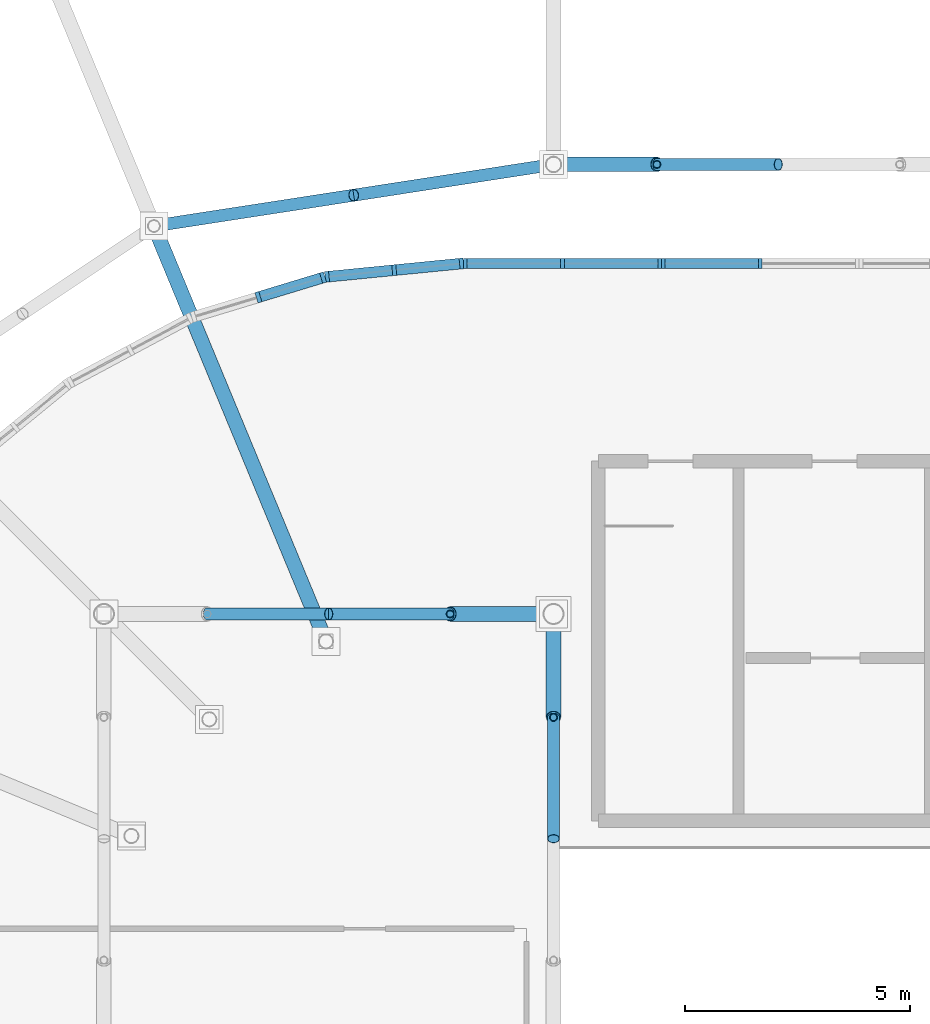
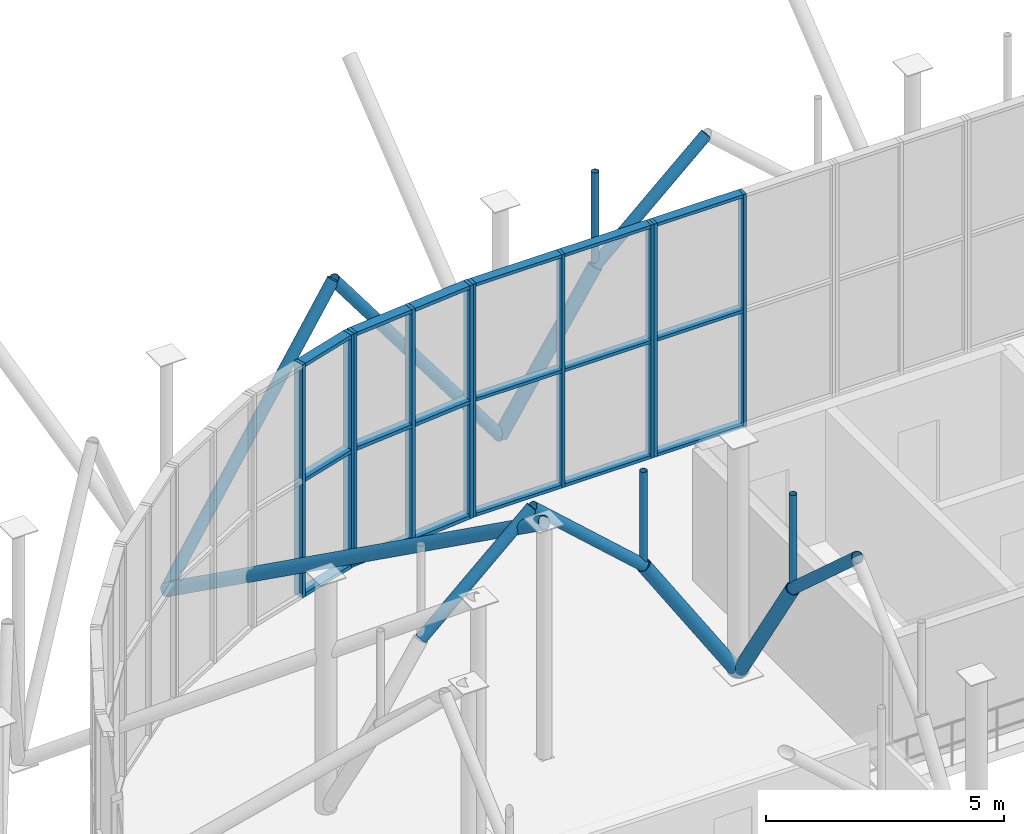
# One storey, part 51 of 109: 41 members, 4 elements without a shape of their own.
"""IFC4 building model written with IfcOpenShell, lengths in metres."""

import ifcopenshell
import ifcopenshell.guid

model = None  # the IFC model being written
_history = None  # IfcOwnerHistory: only IFC2X3 demands one
_inside = {}  # id of a spatial element -> (the spatial element, [elements in it])
_under = {}  # id of a project, library or spatial element -> (it, [spatial elements below it])
_declared = {}  # id of a project -> (the project, [libraries it declares])
_typed = {}  # id of a type object -> (the type object, [elements of that type])
_made_of = {}  # id of a material, layer set ... -> (it, [elements and type objects made of it])


def new_model(schema):
    """Start an empty IFC model of exactly this schema.

    Asked for "IFC4X3", IfcOpenShell would pick the latest addendum, in which some entities
    have other attributes; the version numbers below select the first issue.
    IFC2X3 requires an IfcOwnerHistory on every rooted entity: one is made here for all.
    """
    global model, _history
    if schema == "IFC4X3":
        model = ifcopenshell.file(schema_version=(4, 3, 0, 0))
    else:
        model = ifcopenshell.file(schema=schema)
    _inside.clear()
    _under.clear()
    _declared.clear()
    _typed.clear()
    _made_of.clear()
    _history = None
    if model.schema == "IFC2X3":
        org = make("IfcOrganization", Name="unknown")
        user = make(
            "IfcPersonAndOrganization",
            ThePerson=make("IfcPerson", FamilyName="unknown"),
            TheOrganization=org,
        )
        app = make(
            "IfcApplication",
            ApplicationDeveloper=org,
            Version="unknown",
            ApplicationFullName="unknown",
            ApplicationIdentifier="unknown",
        )
        _history = make(
            "IfcOwnerHistory",
            OwningUser=user,
            OwningApplication=app,
            ChangeAction="ADDED",
            CreationDate=0,
        )
    return model


def make(cls, **values):
    """One entity of the class cls with the attributes given. An attribute that is None is left unset."""
    return model.create_entity(
        cls, **{name: value for name, value in values.items() if value is not None}
    )


def rooted(cls, **values):
    """An entity with a GlobalId (a new one), such as an element, a storey or a relation."""
    return make(cls, GlobalId=ifcopenshell.guid.new(), OwnerHistory=_history, **values)


def si_unit(unit_type, name, prefix=None):
    """IfcSIUnit, for example si_unit("LENGTHUNIT", "METRE", prefix="MILLI")."""
    return make("IfcSIUnit", UnitType=unit_type, Prefix=prefix, Name=name)


def derived_unit(unit_type, elements):
    """IfcDerivedUnit: a product of units, each with its exponent."""
    return make(
        "IfcDerivedUnit",
        Elements=[
            make("IfcDerivedUnitElement", Unit=unit, Exponent=power)
            for unit, power in elements
        ],
        UnitType=unit_type,
    )


def assignment(units):
    """IfcUnitAssignment: the units of a project."""
    return None if units is None else make("IfcUnitAssignment", Units=units)


def point(xyz):
    """IfcCartesianPoint."""
    return None if xyz is None else make("IfcCartesianPoint", Coordinates=xyz)


def direction(xyz):
    """IfcDirection."""
    return None if xyz is None else make("IfcDirection", DirectionRatios=xyz)


def frame(location, z_axis=None, x_axis=None):
    """IfcAxis2Placement3D, a coordinate frame: its origin and axes. An axis left out is left unset."""
    return make(
        "IfcAxis2Placement3D",
        Location=point(location),
        Axis=direction(z_axis),
        RefDirection=direction(x_axis),
    )


def frame_2d(location, x_axis=None):
    """IfcAxis2Placement2D, a coordinate frame in the plane: its origin and x axis."""
    return make(
        "IfcAxis2Placement2D", Location=point(location), RefDirection=direction(x_axis)
    )


def origin():
    """The frame at (0, 0, 0) with its axes left unset."""
    return frame((0.0, 0.0, 0.0))


def origin_2d_with_axis():
    """The frame at (0, 0) in the plane with the x axis (1, 0) written out."""
    return frame_2d((0.0, 0.0), x_axis=(1.0, 0.0))


def place(relative_to, where):
    """IfcLocalPlacement: puts the frame where relative to a parent placement (None: the world)."""
    return make(
        "IfcLocalPlacement", PlacementRelTo=relative_to, RelativePlacement=where
    )


def context(
    kind, dimensions, precision=None, world=None, true_north=None, identifier=None
):
    """IfcGeometricRepresentationContext, for example the 3D "Model" context."""
    return make(
        "IfcGeometricRepresentationContext",
        ContextIdentifier=identifier,
        ContextType=kind,
        CoordinateSpaceDimension=dimensions,
        Precision=precision,
        WorldCoordinateSystem=world,
        TrueNorth=true_north,
    )


def subcontext(parent, identifier, kind, view, scale=None):
    """IfcGeometricRepresentationSubContext, for example "Body" below "Model"."""
    return make(
        "IfcGeometricRepresentationSubContext",
        ContextIdentifier=identifier,
        ContextType=kind,
        ParentContext=parent,
        TargetScale=scale,
        TargetView=view,
    )


def project(units=None, contexts=None):
    """IfcProject with its units and contexts."""
    return rooted(
        "IfcProject",
        Name="project",
        RepresentationContexts=contexts,
        UnitsInContext=assignment(units),
    )


def spatial(cls, under=None, at=None, **own):
    """A site, building, storey or space (cls), placed at a placement, below another one or the project."""
    s = rooted(cls, ObjectPlacement=at, **own)
    if under is not None:
        _under.setdefault(under.id(), (under, []))[1].append(s)
    return s


def profile(cls, at=None, kind="AREA", **sizes):
    """A parametric profile (cls). Its sizes go by their IFC names, for example OverallWidth=200.0."""
    return make(cls, ProfileType=kind, Position=at, **sizes)


def rectangle(**sizes):
    """IfcRectangleProfileDef."""
    return profile("IfcRectangleProfileDef", **sizes)


def hollow_circle(**sizes):
    """IfcCircleHollowProfileDef."""
    return profile("IfcCircleHollowProfileDef", **sizes)


def extrude(swept, where, along, depth):
    """IfcExtrudedAreaSolid: the profile swept, set in the frame where, extruded along a direction by depth."""
    return make(
        "IfcExtrudedAreaSolid",
        SweptArea=swept,
        Position=where,
        ExtrudedDirection=direction(along),
        Depth=depth,
    )


def shape(context_of_items, identifier, shape_type, items):
    """IfcShapeRepresentation: the items that make up one representation, for example the "Body"."""
    return make(
        "IfcShapeRepresentation",
        ContextOfItems=context_of_items,
        RepresentationIdentifier=identifier,
        RepresentationType=shape_type,
        Items=items,
    )


def material(Name=None, Category=None):
    """IfcMaterial."""
    return make("IfcMaterial", Name=Name, Category=Category)


def material_profile(
    of_material, cross_section, Name=None, Category=None, Priority=None
):
    """IfcMaterialProfile: a cross section and its material."""
    return make(
        "IfcMaterialProfile",
        Name=Name,
        Material=of_material,
        Profile=cross_section,
        Priority=Priority,
        Category=Category,
    )


def profile_set(profiles, Name=None, composite=None):
    """IfcMaterialProfileSet."""
    return make(
        "IfcMaterialProfileSet",
        Name=Name,
        MaterialProfiles=profiles,
        CompositeProfile=composite,
    )


def made_of(thing, what):
    """Note that an element or type object is made of a material, layer set ...; save() writes the relation."""
    if what is not None:
        _made_of.setdefault(what.id(), (what, []))[1].append(thing)
    return thing


def type_object(cls, material=None, **own):
    """A type object (cls), such as IfcWallType, which elements share."""
    return made_of(rooted(cls, **own), material)


def element(
    cls,
    number,
    at=None,
    inside=None,
    cuts=None,
    type_object=None,
    material=None,
    context=None,
    identifier="Body",
    shape_type=None,
    held_by="IfcProductDefinitionShape",
    body=None,
    shapes=None,
    **own,
):
    """One element of the class cls, such as IfcWall. Its Tag is "e" and its number.

    at: its placement. inside: the storey or other place that contains it. cuts: it is an
    opening in that element (IfcRelVoidsElement). A single representation is given by context,
    identifier, shape_type and body (its items); several are given by shapes. held_by: the class
    of the entity that holds the representations. save() writes the other relations.
    """
    e = rooted(cls, Tag="e%d" % number, ObjectPlacement=at, **own)
    if body is not None:
        shapes = [shape(context, identifier, shape_type, body)]
    if shapes is not None:
        e.Representation = make(held_by, Representations=shapes)
    if inside is not None:
        _inside.setdefault(inside.id(), (inside, []))[1].append(e)
    if cuts is not None:
        rooted(
            "IfcRelVoidsElement", RelatingBuildingElement=cuts, RelatedOpeningElement=e
        )
    if type_object is not None:
        _typed.setdefault(type_object.id(), (type_object, []))[1].append(e)
    return made_of(e, material)


def aggregate(whole, parts):
    """IfcRelAggregates: a whole, such as a stair, and the parts it consists of."""
    return rooted("IfcRelAggregates", RelatingObject=whole, RelatedObjects=parts)


def save(model, path):
    """Write the relations noted so far, then the file.

    IfcRelAggregates (storeys below a building ...), IfcRelContainedInSpatialStructure (elements
    in a storey), IfcRelDefinesByType, IfcRelAssociatesMaterial and IfcRelDeclares: one each for
    every whole, place, type object, material and project.
    """
    for whole, parts in _under.values():
        aggregate(whole, parts)
    for where, things in _inside.values():
        rooted(
            "IfcRelContainedInSpatialStructure",
            RelatedElements=things,
            RelatingStructure=where,
        )
    for kind, things in _typed.values():
        rooted("IfcRelDefinesByType", RelatedObjects=things, RelatingType=kind)
    for what, things in _made_of.values():
        rooted("IfcRelAssociatesMaterial", RelatedObjects=things, RelatingMaterial=what)
    for by, libraries in _declared.values():
        rooted("IfcRelDeclares", RelatingContext=by, RelatedDefinitions=libraries)
    model.write(path)


model = new_model("IFC4")

# Units and contexts
model_context = context("Model", 3, precision=1e-05, world=origin(), true_north=direction((0.0, 1.0)))
body_context = subcontext(model_context, "Body", "Model", "MODEL_VIEW")
ifc_project = project(units=[si_unit("LENGTHUNIT", "METRE"), si_unit("AREAUNIT", "SQUARE_METRE"), si_unit("VOLUMEUNIT", "CUBIC_METRE"), si_unit("PLANEANGLEUNIT", "RADIAN"), si_unit("MASSUNIT", "GRAM", prefix="KILO"), derived_unit("THERMALTRANSMITTANCEUNIT", [(si_unit("POWERUNIT", "WATT"), 1), (si_unit("LENGTHUNIT", "METRE"), -2), (si_unit("THERMODYNAMICTEMPERATUREUNIT", "KELVIN"), -1)])], contexts=[model_context])

# Site, building, storey
site_placement = place(None, origin())
site = spatial("IfcSite", under=ifc_project, at=site_placement, CompositionType="ELEMENT")
building_placement = place(site_placement, origin())
building = spatial("IfcBuilding", under=site, at=building_placement, Name="Cinnabar Yard Market Hall", CompositionType="ELEMENT")
storey_placement = place(building_placement, frame((0.0, 0.0, 8.39990234375)))
storey = spatial("IfcBuildingStorey", under=building, at=storey_placement, Name="L02", CompositionType="ELEMENT", Elevation=8.39990234375)

# Curtain wall, members
ifc_material_1 = material(Name="Anodised bronze aluminium curved-chord facade", Category="aluminium")
curtain_wall_type_1 = type_object("IfcCurtainWallType", Name="CW-CWC031x60", PredefinedType="NOTDEFINED", material=ifc_material_1)
curtain_wall_1_placement = place(storey_placement, origin())
curtain_wall_1 = element("IfcCurtainWall", 1, at=curtain_wall_1_placement, inside=storey, type_object=curtain_wall_type_1, Name="Corner NW Chord 1 L02", PredefinedType="NOTDEFINED")
ifc_material_2 = material(Name="Anodised bronze aluminium", Category="aluminium")
ifc_material_profile_1 = material_profile(ifc_material_2, rectangle(XDim=0.239990234375, YDim=0.090087890625, at=origin_2d_with_axis()), Name="MUL-CWC")
ifc_profile_set_1 = profile_set([ifc_material_profile_1], Name="Anodised bronze aluminium")
member_type_1 = type_object("IfcMemberType", Name="CWM-CWC", PredefinedType="MULLION", material=ifc_profile_set_1)
member_1_placement = place(storey_placement, frame((83.955322265625, 71.795654296875, 0.0), z_axis=(0.0, 0.0, 1.0), x_axis=(0.098020369342, -0.995184408637, 0.0)))
member_1 = element("IfcMember", 2, at=member_1_placement, type_object=member_type_1, Name="CWC031x60 mullion 1", PredefinedType="MULLION", context=body_context, shape_type="SweptSolid", body=[
    extrude(rectangle(XDim=0.239990234375, YDim=0.090087890625, at=origin_2d_with_axis()), origin(), (0.0, 0.0, 1.0), 5.97998046875),
])
member_2_placement = place(storey_placement, frame((82.458740234375, 71.648193359375, 0.0), z_axis=(0.0, 0.0, 1.0), x_axis=(0.098020369342, -0.995184408637, 0.0)))
member_2 = element("IfcMember", 3, at=member_2_placement, type_object=member_type_1, Name="CWC031x60 mullion 2", PredefinedType="MULLION", context=body_context, shape_type="SweptSolid", body=[
    extrude(rectangle(XDim=0.239990234375, YDim=0.090087890625, at=origin_2d_with_axis()), origin(), (0.0, 0.0, 1.0), 5.97998046875),
])
member_3_placement = place(storey_placement, frame((80.96240234375, 71.500732421875, 0.0), z_axis=(0.0, 0.0, 1.0), x_axis=(0.098020369342, -0.995184408637, 0.0)))
member_3 = element("IfcMember", 4, at=member_3_placement, type_object=member_type_1, Name="CWC031x60 mullion 3", PredefinedType="MULLION", context=body_context, shape_type="SweptSolid", body=[
    extrude(rectangle(XDim=0.239990234375, YDim=0.090087890625, at=origin_2d_with_axis()), origin(), (0.0, 0.0, 1.0), 5.97998046875),
])

curtain_wall_2_placement = place(storey_placement, origin())
curtain_wall_2 = element("IfcCurtainWall", 5, at=curtain_wall_2_placement, inside=storey, type_object=curtain_wall_type_1, Name="Corner NW Chord 2 L02", PredefinedType="NOTDEFINED")
member_4_placement = place(storey_placement, frame((80.87451171875, 71.4833984375, 0.0), z_axis=(0.0, 0.0, 1.0), x_axis=(0.290278891325, -0.956942090856, 0.0)))
member_4 = element("IfcMember", 6, at=member_4_placement, type_object=member_type_1, Name="CWC031x60 mullion 1", PredefinedType="MULLION", context=body_context, shape_type="SweptSolid", body=[
    extrude(rectangle(XDim=0.239990234375, YDim=0.090087890625, at=origin_2d_with_axis()), origin(), (0.0, 0.0, 1.0), 5.97998046875),
])
member_5_placement = place(storey_placement, frame((79.435546875, 71.046875, 0.0), z_axis=(0.0, 0.0, 1.0), x_axis=(0.290278891325, -0.956942090856, 0.0)))
member_5 = element("IfcMember", 7, at=member_5_placement, type_object=member_type_1, Name="CWC031x60 mullion 2", PredefinedType="MULLION", context=body_context, shape_type="SweptSolid", body=[
    extrude(rectangle(XDim=0.239990234375, YDim=0.090087890625, at=origin_2d_with_axis()), origin(), (0.0, 0.0, 1.0), 5.97998046875),
])

ifc_material_3 = material(Name="Anodised bronze aluminium and low-E glass", Category="aluminium")
curtain_wall_type_2 = type_object("IfcCurtainWallType", Name="CW-CWH044x60", PredefinedType="NOTDEFINED", material=ifc_material_3)
curtain_wall_3_placement = place(storey_placement, origin())
curtain_wall_3 = element("IfcCurtainWall", 8, at=curtain_wall_3_placement, inside=storey, type_object=curtain_wall_type_2, Name="Market Hall North Upper Clerestory B1A", PredefinedType="NOTDEFINED")
ifc_material_profile_2 = material_profile(ifc_material_2, rectangle(XDim=0.219970703125, YDim=0.080078125, at=origin_2d_with_axis()), Name="MUL-CWH")
ifc_profile_set_2 = profile_set([ifc_material_profile_2], Name="Anodised bronze aluminium")
member_type_2 = type_object("IfcMemberType", Name="CWM-CWH", PredefinedType="MULLION", material=ifc_profile_set_2)
member_6_placement = place(storey_placement, frame((88.360107421875, 71.800048828125, 0.0), z_axis=(0.0, 0.0, 1.0), x_axis=(0.0, -1.0, 0.0)))
member_6 = element("IfcMember", 9, at=member_6_placement, type_object=member_type_2, Name="CWH044x60 mullion 1", PredefinedType="MULLION", context=body_context, shape_type="SweptSolid", body=[
    extrude(rectangle(XDim=0.219970703125, YDim=0.080078125, at=origin_2d_with_axis()), origin(), (0.0, 0.0, 1.0), 5.97998046875),
])
member_7_placement = place(storey_placement, frame((86.199951171875, 71.800048828125, 0.0), z_axis=(0.0, 0.0, 1.0), x_axis=(0.0, -1.0, 0.0)))
member_7 = element("IfcMember", 10, at=member_7_placement, type_object=member_type_2, Name="CWH044x60 mullion 2", PredefinedType="MULLION", context=body_context, shape_type="SweptSolid", body=[
    extrude(rectangle(XDim=0.219970703125, YDim=0.080078125, at=origin_2d_with_axis()), origin(), (0.0, 0.0, 1.0), 5.97998046875),
])
member_8_placement = place(storey_placement, frame((84.0400390625, 71.800048828125, 0.0), z_axis=(0.0, 0.0, 1.0), x_axis=(0.0, -1.0, 0.0)))
member_8 = element("IfcMember", 11, at=member_8_placement, type_object=member_type_2, Name="CWH044x60 mullion 3", PredefinedType="MULLION", context=body_context, shape_type="SweptSolid", body=[
    extrude(rectangle(XDim=0.219970703125, YDim=0.080078125, at=origin_2d_with_axis()), origin(), (0.0, 0.0, 1.0), 5.97998046875),
])

curtain_wall_4_placement = place(storey_placement, origin())
curtain_wall_4 = element("IfcCurtainWall", 12, at=curtain_wall_4_placement, inside=storey, type_object=curtain_wall_type_2, Name="Market Hall North Upper Clerestory PTW", PredefinedType="NOTDEFINED")
member_9_placement = place(storey_placement, frame((90.60009765625, 71.800048828125, 0.0), z_axis=(0.0, 0.0, 1.0), x_axis=(0.0, -1.0, 0.0)))
member_9 = element("IfcMember", 13, at=member_9_placement, type_object=member_type_2, Name="CWH044x60 mullion 2", PredefinedType="MULLION", context=body_context, shape_type="SweptSolid", body=[
    extrude(rectangle(XDim=0.219970703125, YDim=0.080078125, at=origin_2d_with_axis()), origin(), (0.0, 0.0, 1.0), 5.97998046875),
])
member_10_placement = place(storey_placement, frame((88.43994140625, 71.800048828125, 0.0), z_axis=(0.0, 0.0, 1.0), x_axis=(0.0, -1.0, 0.0)))
member_10 = element("IfcMember", 14, at=member_10_placement, type_object=member_type_2, Name="CWH044x60 mullion 3", PredefinedType="MULLION", context=body_context, shape_type="SweptSolid", body=[
    extrude(rectangle(XDim=0.219970703125, YDim=0.080078125, at=origin_2d_with_axis()), origin(), (0.0, 0.0, 1.0), 5.97998046875),
])

# Member
ifc_material_profile_3 = material_profile(ifc_material_2, rectangle(XDim=0.239990234375, YDim=0.090087890625, at=origin_2d_with_axis()), Name="TRN-CWC")
ifc_profile_set_3 = profile_set([ifc_material_profile_3], Name="Anodised bronze aluminium")
member_type_3 = type_object("IfcMemberType", Name="CWT-CWC", PredefinedType="USERDEFINED", material=ifc_profile_set_3)
member_11_placement = place(storey_placement, frame((83.910400390625, 71.791259765625, 0.045166015625), z_axis=(-0.995176425197, -0.098101390058, 0.0), x_axis=(0.098101390058, -0.995176425197, 0.0)))
member_11 = element("IfcMember", 15, at=member_11_placement, type_object=member_type_3, Name="CWC031x60 transom 1.1", ObjectType="TRANSOM", PredefinedType="USERDEFINED", context=body_context, shape_type="SweptSolid", body=[
    extrude(rectangle(XDim=0.239990234375, YDim=0.090087890625, at=origin_2d_with_axis()), origin(), (0.0, 0.0, 1.0), 1.41357421875),
])

member_12_placement = place(storey_placement, frame((83.910400390625, 71.791259765625, 2.989990234375), z_axis=(-0.995176425197, -0.098101390058, 0.0), x_axis=(0.098101390058, -0.995176425197, 0.0)))
member_12 = element("IfcMember", 16, at=member_12_placement, type_object=member_type_3, Name="CWC031x60 transom 1.2", ObjectType="TRANSOM", PredefinedType="USERDEFINED", context=body_context, shape_type="SweptSolid", body=[
    extrude(rectangle(XDim=0.239990234375, YDim=0.090087890625, at=origin_2d_with_axis()), origin(), (0.0, 0.0, 1.0), 1.41357421875),
])

member_13_placement = place(storey_placement, frame((83.910400390625, 71.791259765625, 5.93505859375), z_axis=(-0.995176425197, -0.098101390058, 0.0), x_axis=(0.098101390058, -0.995176425197, 0.0)))
member_13 = element("IfcMember", 17, at=member_13_placement, type_object=member_type_3, Name="CWC031x60 transom 1.3", ObjectType="TRANSOM", PredefinedType="USERDEFINED", context=body_context, shape_type="SweptSolid", body=[
    extrude(rectangle(XDim=0.239990234375, YDim=0.090087890625, at=origin_2d_with_axis()), origin(), (0.0, 0.0, 1.0), 1.41357421875),
])

member_14_placement = place(storey_placement, frame((82.4140625, 71.643798828125, 0.045166015625), z_axis=(-0.995178086946, -0.098084531214, 0.0), x_axis=(0.098084531214, -0.995178086946, 0.0)))
member_14 = element("IfcMember", 18, at=member_14_placement, type_object=member_type_3, Name="CWC031x60 transom 2.1", ObjectType="TRANSOM", PredefinedType="USERDEFINED", context=body_context, shape_type="SweptSolid", body=[
    extrude(rectangle(XDim=0.239990234375, YDim=0.090087890625, at=origin_2d_with_axis()), origin(), (0.0, 0.0, 1.0), 1.413818359375),
])

member_15_placement = place(storey_placement, frame((82.4140625, 71.643798828125, 2.989990234375), z_axis=(-0.995178086946, -0.098084531214, 0.0), x_axis=(0.098084531214, -0.995178086946, 0.0)))
member_15 = element("IfcMember", 19, at=member_15_placement, type_object=member_type_3, Name="CWC031x60 transom 2.2", ObjectType="TRANSOM", PredefinedType="USERDEFINED", context=body_context, shape_type="SweptSolid", body=[
    extrude(rectangle(XDim=0.239990234375, YDim=0.090087890625, at=origin_2d_with_axis()), origin(), (0.0, 0.0, 1.0), 1.413818359375),
])

member_16_placement = place(storey_placement, frame((82.4140625, 71.643798828125, 5.93505859375), z_axis=(-0.995178086946, -0.098084531214, 0.0), x_axis=(0.098084531214, -0.995178086946, 0.0)))
member_16 = element("IfcMember", 20, at=member_16_placement, type_object=member_type_3, Name="CWC031x60 transom 2.3", ObjectType="TRANSOM", PredefinedType="USERDEFINED", context=body_context, shape_type="SweptSolid", body=[
    extrude(rectangle(XDim=0.239990234375, YDim=0.090087890625, at=origin_2d_with_axis()), origin(), (0.0, 0.0, 1.0), 1.413818359375),
])

aggregate(curtain_wall_1, [member_1, member_2, member_3, member_11, member_12, member_13, member_14, member_15, member_16])

member_17_placement = place(storey_placement, frame((80.83154296875, 71.47021484375, 0.045166015625), z_axis=(-0.956932850279, -0.290309352341, 0.0), x_axis=(0.290309352341, -0.956932850279, 0.0)))
member_17 = element("IfcMember", 21, at=member_17_placement, type_object=member_type_3, Name="CWC031x60 transom 1.1", ObjectType="TRANSOM", PredefinedType="USERDEFINED", context=body_context, shape_type="SweptSolid", body=[
    extrude(rectangle(XDim=0.239990234375, YDim=0.090087890625, at=origin_2d_with_axis()), origin(), (0.0, 0.0, 1.0), 1.41357421875),
])

member_18_placement = place(storey_placement, frame((80.83154296875, 71.47021484375, 2.989990234375), z_axis=(-0.956932850279, -0.290309352341, 0.0), x_axis=(0.290309352341, -0.956932850279, 0.0)))
member_18 = element("IfcMember", 22, at=member_18_placement, type_object=member_type_3, Name="CWC031x60 transom 1.2", ObjectType="TRANSOM", PredefinedType="USERDEFINED", context=body_context, shape_type="SweptSolid", body=[
    extrude(rectangle(XDim=0.239990234375, YDim=0.090087890625, at=origin_2d_with_axis()), origin(), (0.0, 0.0, 1.0), 1.41357421875),
])

member_19_placement = place(storey_placement, frame((80.83154296875, 71.47021484375, 5.93505859375), z_axis=(-0.956932850279, -0.290309352341, 0.0), x_axis=(0.290309352341, -0.956932850279, 0.0)))
member_19 = element("IfcMember", 23, at=member_19_placement, type_object=member_type_3, Name="CWC031x60 transom 1.3", ObjectType="TRANSOM", PredefinedType="USERDEFINED", context=body_context, shape_type="SweptSolid", body=[
    extrude(rectangle(XDim=0.239990234375, YDim=0.090087890625, at=origin_2d_with_axis()), origin(), (0.0, 0.0, 1.0), 1.41357421875),
])

aggregate(curtain_wall_2, [member_4, member_5, member_17, member_18, member_19])

ifc_material_profile_4 = material_profile(ifc_material_2, rectangle(XDim=0.219970703125, YDim=0.080078125, at=origin_2d_with_axis()), Name="TRN-CWH")
ifc_profile_set_4 = profile_set([ifc_material_profile_4], Name="Anodised bronze aluminium")
member_type_4 = type_object("IfcMemberType", Name="CWT-CWH", PredefinedType="USERDEFINED", material=ifc_profile_set_4)
member_20_placement = place(storey_placement, frame((88.320068359375, 71.800048828125, 0.0400390625), z_axis=(-1.0, 0.0, 0.0), x_axis=(0.0, -1.0, 0.0)))
member_20 = element("IfcMember", 24, at=member_20_placement, type_object=member_type_4, Name="CWH044x60 transom 1.1", ObjectType="TRANSOM", PredefinedType="USERDEFINED", context=body_context, shape_type="SweptSolid", body=[
    extrude(rectangle(XDim=0.219970703125, YDim=0.080078125, at=origin_2d_with_axis()), origin(), (0.0, 0.0, 1.0), 2.080078125),
])

member_21_placement = place(storey_placement, frame((88.320068359375, 71.800048828125, 2.989990234375), z_axis=(-1.0, 0.0, 0.0), x_axis=(0.0, -1.0, 0.0)))
member_21 = element("IfcMember", 25, at=member_21_placement, type_object=member_type_4, Name="CWH044x60 transom 1.2", ObjectType="TRANSOM", PredefinedType="USERDEFINED", context=body_context, shape_type="SweptSolid", body=[
    extrude(rectangle(XDim=0.219970703125, YDim=0.080078125, at=origin_2d_with_axis()), origin(), (0.0, 0.0, 1.0), 2.080078125),
])

member_22_placement = place(storey_placement, frame((88.320068359375, 71.800048828125, 5.940185546875), z_axis=(-1.0, 0.0, 0.0), x_axis=(0.0, -1.0, 0.0)))
member_22 = element("IfcMember", 26, at=member_22_placement, type_object=member_type_4, Name="CWH044x60 transom 1.3", ObjectType="TRANSOM", PredefinedType="USERDEFINED", context=body_context, shape_type="SweptSolid", body=[
    extrude(rectangle(XDim=0.219970703125, YDim=0.080078125, at=origin_2d_with_axis()), origin(), (0.0, 0.0, 1.0), 2.080078125),
])

member_23_placement = place(storey_placement, frame((86.159912109375, 71.800048828125, 0.0400390625), z_axis=(-1.0, 0.0, 0.0), x_axis=(0.0, -1.0, 0.0)))
member_23 = element("IfcMember", 27, at=member_23_placement, type_object=member_type_4, Name="CWH044x60 transom 2.1", ObjectType="TRANSOM", PredefinedType="USERDEFINED", context=body_context, shape_type="SweptSolid", body=[
    extrude(rectangle(XDim=0.219970703125, YDim=0.080078125, at=origin_2d_with_axis()), origin(), (0.0, 0.0, 1.0), 2.079833984375),
])

member_24_placement = place(storey_placement, frame((86.159912109375, 71.800048828125, 2.989990234375), z_axis=(-1.0, 0.0, 0.0), x_axis=(0.0, -1.0, 0.0)))
member_24 = element("IfcMember", 28, at=member_24_placement, type_object=member_type_4, Name="CWH044x60 transom 2.2", ObjectType="TRANSOM", PredefinedType="USERDEFINED", context=body_context, shape_type="SweptSolid", body=[
    extrude(rectangle(XDim=0.219970703125, YDim=0.080078125, at=origin_2d_with_axis()), origin(), (0.0, 0.0, 1.0), 2.079833984375),
])

member_25_placement = place(storey_placement, frame((86.159912109375, 71.800048828125, 5.940185546875), z_axis=(-1.0, 0.0, 0.0), x_axis=(0.0, -1.0, 0.0)))
member_25 = element("IfcMember", 29, at=member_25_placement, type_object=member_type_4, Name="CWH044x60 transom 2.3", ObjectType="TRANSOM", PredefinedType="USERDEFINED", context=body_context, shape_type="SweptSolid", body=[
    extrude(rectangle(XDim=0.219970703125, YDim=0.080078125, at=origin_2d_with_axis()), origin(), (0.0, 0.0, 1.0), 2.079833984375),
])

aggregate(curtain_wall_3, [member_6, member_7, member_8, member_20, member_21, member_22, member_23, member_24, member_25])

member_26_placement = place(storey_placement, frame((90.56005859375, 71.800048828125, 0.0400390625), z_axis=(-1.0, 0.0, 0.0), x_axis=(0.0, -1.0, 0.0)))
member_26 = element("IfcMember", 30, at=member_26_placement, type_object=member_type_4, Name="CWH044x60 transom 2.1", ObjectType="TRANSOM", PredefinedType="USERDEFINED", context=body_context, shape_type="SweptSolid", body=[
    extrude(rectangle(XDim=0.219970703125, YDim=0.080078125, at=origin_2d_with_axis()), origin(), (0.0, 0.0, 1.0), 2.080078125),
])

member_27_placement = place(storey_placement, frame((90.56005859375, 71.800048828125, 2.989990234375), z_axis=(-1.0, 0.0, 0.0), x_axis=(0.0, -1.0, 0.0)))
member_27 = element("IfcMember", 31, at=member_27_placement, type_object=member_type_4, Name="CWH044x60 transom 2.2", ObjectType="TRANSOM", PredefinedType="USERDEFINED", context=body_context, shape_type="SweptSolid", body=[
    extrude(rectangle(XDim=0.219970703125, YDim=0.080078125, at=origin_2d_with_axis()), origin(), (0.0, 0.0, 1.0), 2.080078125),
])

member_28_placement = place(storey_placement, frame((90.56005859375, 71.800048828125, 5.940185546875), z_axis=(-1.0, 0.0, 0.0), x_axis=(0.0, -1.0, 0.0)))
member_28 = element("IfcMember", 32, at=member_28_placement, type_object=member_type_4, Name="CWH044x60 transom 2.3", ObjectType="TRANSOM", PredefinedType="USERDEFINED", context=body_context, shape_type="SweptSolid", body=[
    extrude(rectangle(XDim=0.219970703125, YDim=0.080078125, at=origin_2d_with_axis()), origin(), (0.0, 0.0, 1.0), 2.080078125),
])

aggregate(curtain_wall_4, [member_9, member_10, member_26, member_27, member_28])

# Members
ifc_material_4 = material(Name="Spotted-gum glulam-clad steel Grade 350 (350 MPa)", Category="steel")
ifc_material_profile_5 = material_profile(ifc_material_4, hollow_circle(Radius=0.136474609375, WallThickness=0.00927734375, at=origin_2d_with_axis()), Name="273.1x9.3CHS")
ifc_profile_set_5 = profile_set([ifc_material_profile_5], Name="Spotted-gum glulam-clad steel Grade 350 (350 MPa)")
member_type_5 = type_object("IfcMemberType", Name="MB-AR01", PredefinedType="USERDEFINED", material=ifc_profile_set_5)
for number, where, z_axis, x_axis, name in (
    (33, (78.300048828125, 64.0, 3.550048828125), (0.743297488271, 0.0, 0.668961018244), (0.0, 1.0, 0.0), "Pointed Arch Rib 0012"),
    (34, (83.699951171875, 64.0, 3.550048828125), (-0.743297488271, 0.0, 0.668961018244), (0.0, -1.0, 0.0), "Pointed Arch Rib 0028"),
    (35, (86.0, 61.699951171875, 3.550048828125), (0.0, -0.743297488271, 0.668961018244), (1.0, 0.0, 0.0), "Pointed Arch Rib 0029"),
):
    element("IfcMember", number, at=place(storey_placement, frame(where, z_axis=z_axis, x_axis=x_axis)), inside=storey, type_object=member_type_5, Name=name, ObjectType="ARCH RIB", PredefinedType="USERDEFINED", context=body_context, shape_type="SweptSolid", body=[
        extrude(hollow_circle(Radius=0.136474609375, WallThickness=0.00927734375, at=origin_2d_with_axis()), origin(), (0.0, 0.0, 1.0), 3.63232421875),
    ])
ifc_material_profile_6 = material_profile(ifc_material_4, hollow_circle(Radius=0.136474609375, WallThickness=0.00927734375, at=origin_2d_with_axis()), Name="273.1x9.3CHS")
ifc_profile_set_6 = profile_set([ifc_material_profile_6], Name="Spotted-gum glulam-clad steel Grade 350 (350 MPa)")
member_type_6 = type_object("IfcMemberType", Name="MB-AR01E", PredefinedType="USERDEFINED", material=ifc_profile_set_6)
member_29_placement = place(storey_placement, frame((88.300048828125, 74.0, 3.550048828125), z_axis=(0.743297488271, 0.0, 0.668961018244), x_axis=(0.0, 1.0, 0.0)))
element("IfcMember", 36, at=member_29_placement, inside=storey, type_object=member_type_6, Name="Pointed Arch Rib 0146", ObjectType="ARCH RIB", PredefinedType="USERDEFINED", context=body_context, shape_type="SweptSolid", body=[
    extrude(hollow_circle(Radius=0.136474609375, WallThickness=0.00927734375, at=origin_2d_with_axis()), origin(), (0.0, 0.0, 1.0), 3.63232421875),
])
for number, where, z_axis, x_axis, name in (
    (37, (86.0, 74.0, 0.0), (-0.593975880497, -0.09156162834, 0.799255354441), (0.152350933845, -0.988326460719, 0.0), "Corner Pointed Arch NW 1A"),
    (38, (77.11181640625, 72.6298828125, 0.0), (0.593975880497, 0.09156162834, 0.799255354441), (-0.152350933845, 0.988326460719, 0.0), "Corner Pointed Arch NW 1B"),
):
    element("IfcMember", number, at=place(storey_placement, frame(where, z_axis=z_axis, x_axis=x_axis)), inside=storey, type_object=member_type_6, Name=name, ObjectType="ARCH RIB", PredefinedType="USERDEFINED", context=body_context, shape_type="SweptSolid", body=[
        extrude(hollow_circle(Radius=0.136474609375, WallThickness=0.00927734375, at=origin_2d_with_axis()), origin(), (0.0, 0.0, 1.0), 7.48193359375),
    ])
ifc_material_profile_7 = material_profile(ifc_material_4, hollow_circle(Radius=0.161865234375, WallThickness=0.009521484375, at=origin_2d_with_axis()), Name="323.9x9.5CHS")
ifc_profile_set_7 = profile_set([ifc_material_profile_7], Name="Spotted-gum glulam-clad steel Grade 350 (350 MPa)")
member_type_7 = type_object("IfcMemberType", Name="MB-ST01", PredefinedType="STRUT", material=ifc_profile_set_7)
for number, where, z_axis, x_axis, name in (
    (39, (86.0, 64.0, 0.0), (-0.543744165176, 0.0, 0.839251024925), (0.0, -1.0, 0.0), "Curved Branch Arm Lower 0028"),
    (40, (86.0, 64.0, 0.0), (0.0, -0.543744165176, 0.839251024925), (1.0, 0.0, 0.0), "Curved Branch Arm Lower 0029"),
):
    element("IfcMember", number, at=place(storey_placement, frame(where, z_axis=z_axis, x_axis=x_axis)), inside=storey, type_object=member_type_7, Name=name, PredefinedType="STRUT", context=body_context, shape_type="SweptSolid", body=[
        extrude(hollow_circle(Radius=0.161865234375, WallThickness=0.009521484375, at=origin_2d_with_axis()), origin(), (0.0, 0.0, 1.0), 4.22998046875),
    ])
ifc_material_profile_8 = material_profile(ifc_material_4, hollow_circle(Radius=0.161865234375, WallThickness=0.009521484375, at=origin_2d_with_axis()), Name="323.9x9.5CHS")
ifc_profile_set_8 = profile_set([ifc_material_profile_8], Name="Spotted-gum glulam-clad steel Grade 350 (350 MPa)")
member_type_8 = type_object("IfcMemberType", Name="MB-ST01E", PredefinedType="STRUT", material=ifc_profile_set_8)
member_30_placement = place(storey_placement, frame((86.0, 74.0, 0.0), z_axis=(0.543744165176, 0.0, 0.839251024925), x_axis=(0.0, 1.0, 0.0)))
element("IfcMember", 41, at=member_30_placement, inside=storey, type_object=member_type_8, Name="Curved Branch Arm Lower 0146", PredefinedType="STRUT", context=body_context, shape_type="SweptSolid", body=[
    extrude(hollow_circle(Radius=0.161865234375, WallThickness=0.009521484375, at=origin_2d_with_axis()), origin(), (0.0, 0.0, 1.0), 4.22998046875),
])
member_31_placement = place(storey_placement, frame((77.11181640625, 72.6298828125, 0.0), z_axis=(0.328425302123, -0.792922692544, 0.513235252661), x_axis=(0.923885312463, 0.382669478028, 0.0)))
element("IfcMember", 42, at=member_31_placement, inside=storey, type_object=member_type_8, Name="Corner Radial Inward Arm NW-2", PredefinedType="STRUT", context=body_context, shape_type="SweptSolid", body=[
    extrude(hollow_circle(Radius=0.161865234375, WallThickness=0.009521484375, at=origin_2d_with_axis()), origin(), (0.0, 0.0, 1.0), 11.651611328125),
])
ifc_material_5 = material(Name="Cold-formed steel C350L0", Category="steel")
ifc_material_profile_9 = material_profile(ifc_material_5, hollow_circle(Radius=0.084228515625, WallThickness=0.00634765625, at=origin_2d_with_axis()), Name="168.3x6.4CHS")
ifc_profile_set_9 = profile_set([ifc_material_profile_9], Name="Cold-formed steel C350L0")
member_type_9 = type_object("IfcMemberType", Name="MB-WB01", PredefinedType="STRUT", material=ifc_profile_set_9)
for number, where, z_axis, x_axis, name in (
    (43, (83.699951171875, 64.0, 3.550048828125), (0.0, 0.0, 1.0), (1.0, 0.0, 0.0), "Arch Spandrel Post 0028"),
    (44, (86.0, 61.699951171875, 3.550048828125), (0.0, 0.0, 1.0), (1.0, 0.0, 0.0), "Arch Spandrel Post 0029"),
):
    element("IfcMember", number, at=place(storey_placement, frame(where, z_axis=z_axis, x_axis=x_axis)), inside=storey, type_object=member_type_9, Name=name, PredefinedType="STRUT", context=body_context, shape_type="SweptSolid", body=[
        extrude(hollow_circle(Radius=0.084228515625, WallThickness=0.00634765625, at=origin_2d_with_axis()), origin(), (0.0, 0.0, 1.0), 2.429931640625),
    ])
ifc_material_profile_10 = material_profile(ifc_material_5, hollow_circle(Radius=0.084228515625, WallThickness=0.00634765625, at=origin_2d_with_axis()), Name="168.3x6.4CHS")
ifc_profile_set_10 = profile_set([ifc_material_profile_10], Name="Cold-formed steel C350L0")
member_type_10 = type_object("IfcMemberType", Name="MB-WB01E", PredefinedType="STRUT", material=ifc_profile_set_10)
member_32_placement = place(storey_placement, frame((88.300048828125, 74.0, 3.550048828125), z_axis=(0.0, 0.0, 1.0), x_axis=(1.0, 0.0, 0.0)))
element("IfcMember", 45, at=member_32_placement, inside=storey, type_object=member_type_10, Name="Arch Spandrel Post 0146", PredefinedType="STRUT", context=body_context, shape_type="SweptSolid", body=[
    extrude(hollow_circle(Radius=0.084228515625, WallThickness=0.00634765625, at=origin_2d_with_axis()), origin(), (0.0, 0.0, 1.0), 2.429931640625),
])

save(model, "model.ifc")
